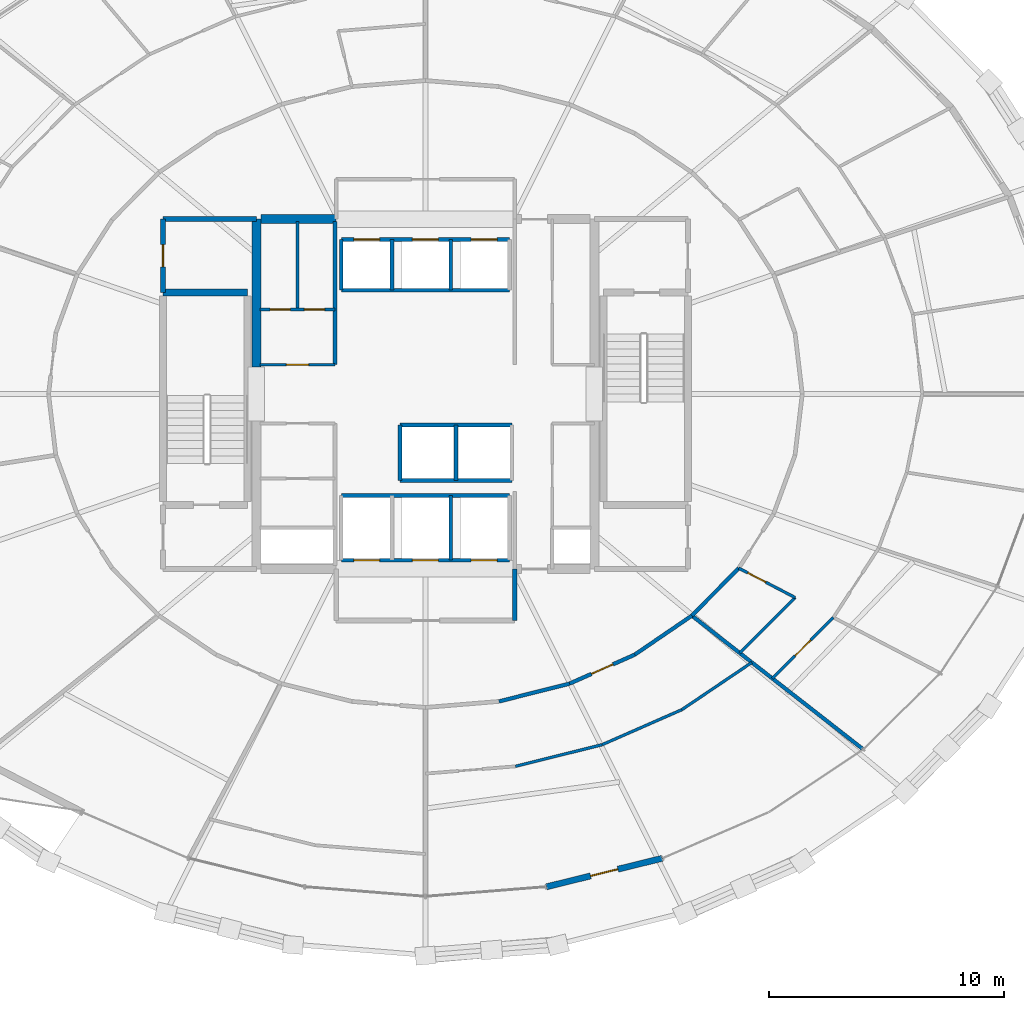
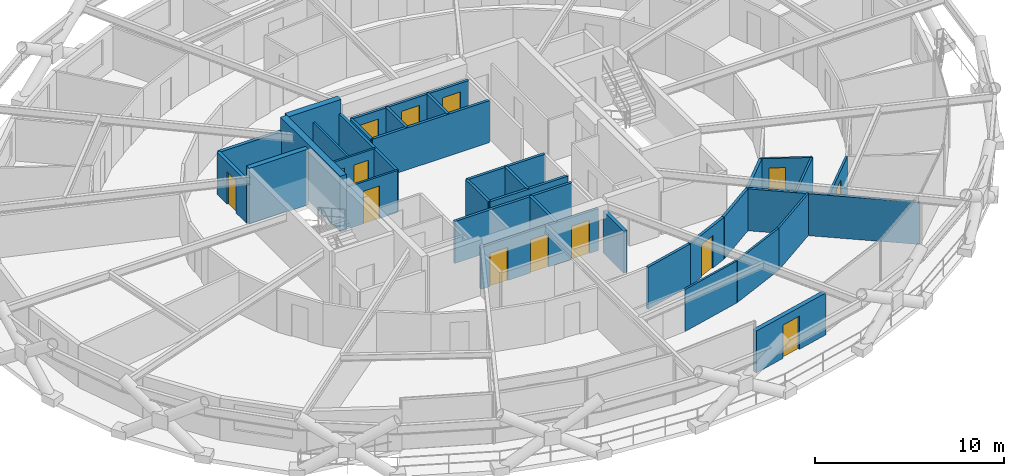
# One storey, part 16 of 23: 34 walls, 14 doors, 14 openings.
"""IFC4 building model written with IfcOpenShell, lengths in metres."""

from ifc_helpers import new_model, si_unit, direction, frame, frame_2d, origin, place, context, subcontext, project, spatial, rectangle, extrude, material, layer, layer_set, type_object, element, fill, save


model = new_model("IFC4")

# Units and contexts
model_context = context("Model", 3, precision=1e-05, world=origin(), true_north=direction((0.0, 1.0)))
body_context = subcontext(model_context, "Body", "Model", "MODEL_VIEW")
ifc_project = project(units=[si_unit("LENGTHUNIT", "METRE"), si_unit("AREAUNIT", "SQUARE_METRE"), si_unit("VOLUMEUNIT", "CUBIC_METRE"), si_unit("PLANEANGLEUNIT", "RADIAN"), si_unit("MASSUNIT", "GRAM", prefix="KILO")], contexts=[model_context])

# Site, building, storey
site_placement = place(None, origin())
site = spatial("IfcSite", under=ifc_project, at=site_placement, CompositionType="ELEMENT")
building_placement = place(site_placement, origin())
building = spatial("IfcBuilding", under=site, at=building_placement, Name="Veldorina Hangang Commons", CompositionType="ELEMENT")
storey_placement = place(building_placement, frame((0.0, 0.0, 95.199951171875)))
storey = spatial("IfcBuildingStorey", under=building, at=storey_placement, Name="L24", CompositionType="ELEMENT", Elevation=95.199951171875)

# Walls
ifc_material_1 = material(Name="Concrete C70/85", Category="concrete")
ifc_layer_1 = layer(ifc_material_1, 0.3798828125)
ifc_layer_set_1 = layer_set([ifc_layer_1], Name="Concrete C70/85")
wall_type_1 = type_object("IfcWallType", Name="CW-RC380-C70", PredefinedType="SHEAR", material=ifc_layer_set_1)
wall_1_placement = place(storey_placement, frame((24.800048828125, 25.14990234375, 0.0), z_axis=(0.0, 0.0, 1.0), x_axis=(0.0, 1.0, 0.0)))
element("IfcWall", 1, at=wall_1_placement, inside=storey, type_object=wall_type_1, Name="L24 W north core shear wall", PredefinedType="SHEAR", context=body_context, shape_type="SweptSolid", body=[
    extrude(rectangle(XDim=6.300048828125, YDim=0.3798828125, at=frame_2d((3.14990234375, 0.0))), origin(), (0.0, 0.0, 1.0), 3.60009765625),
])
wall_2_placement = place(storey_placement, frame((24.989990234375, 31.449951171875, 0.0), z_axis=(0.0, 0.0, 1.0), x_axis=(1.0, 0.0, 0.0)))
element("IfcWall", 2, at=wall_2_placement, inside=storey, type_object=wall_type_1, Name="L24 north-west core shear wall", PredefinedType="SHEAR", context=body_context, shape_type="SweptSolid", body=[
    extrude(rectangle(XDim=3.2099609375, YDim=0.3798828125, at=frame_2d((1.60498046875, 0.0))), origin(), (0.0, 0.0, 1.0), 3.60009765625),
])

# Wall, opening, door
ifc_material_2 = material(Name="Stone Roman Travertine", Category="masonry")
ifc_layer_2 = layer(ifc_material_2, 0.260009765625)
ifc_layer_set_2 = layer_set([ifc_layer_2], Name="Stone Roman Travertine")
wall_type_2 = type_object("IfcWallType", Name="EW-LOGGIA-260", PredefinedType="STANDARD", material=ifc_layer_set_2)
wall_3_placement = place(storey_placement, frame((37.144287109375, 3.0087890625, 0.0), z_axis=(0.0, 0.0, 1.0), x_axis=(0.970998963329, 0.239083694998, 0.0)))
wall_3 = element("IfcWall", 3, at=wall_3_placement, inside=storey, type_object=wall_type_2, Name="L24 sky-garden loggia portal wall 25", PredefinedType="STANDARD", context=body_context, shape_type="SweptSolid", body=[
    extrude(rectangle(XDim=5.094482421875, YDim=0.260009765625, at=frame_2d((2.54736328125, 0.0))), origin(), (0.0, 0.0, 1.0), 2.7099609375),
])
opening_1_placement = place(wall_3_placement, frame((1.947265625, 0.0, 0.0)))
opening_1 = element("IfcOpeningElement", 4, at=opening_1_placement, cuts=wall_3, Name="Opening BD-1200", PredefinedType="OPENING", context=body_context, shape_type="SweptSolid", body=[
    extrude(rectangle(XDim=1.199951171875, YDim=2.14990234375, at=frame_2d((0.60009765625, 1.074951171875))), frame((0.0, 0.14013671875, 0.0), z_axis=(0.0, -1.0, 0.0), x_axis=(1.0, 0.0, 0.0)), (0.0, 0.0, 1.0), 0.280029296875),
])
ifc_material_3 = material(Name="Glass Thermal Aluminium Frame", Category="aluminium")
door_type_1 = type_object("IfcDoorType", Name="DR-EXT-LOG1200", OperationType="SINGLE_SWING_LEFT", PredefinedType="DOOR", material=ifc_material_3)
door_1_placement = place(opening_1_placement, origin())
door_1 = element("IfcDoor", 5, at=door_1_placement, inside=storey, type_object=door_type_1, Name="L24 loggia glazed exterior door 25", OperationType="SINGLE_SWING_RIGHT", OverallHeight=2.14990234375, OverallWidth=1.199951171875, PredefinedType="DOOR", context=body_context, shape_type="SweptSolid", body=[
    extrude(rectangle(XDim=1.199951171875, YDim=2.14990234375, at=frame_2d((0.60009765625, 1.074951171875))), frame((0.0, 0.02490234375, 0.0), z_axis=(0.0, -1.0, 0.0), x_axis=(1.0, 0.0, 0.0)), (0.0, 0.0, 1.0), 0.050048828125),
])
fill(opening_1, door_1)

# Wall
ifc_material_4 = material(Name="Concrete C50/60", Category="concrete")
ifc_layer_3 = layer(ifc_material_4, 0.300048828125)
ifc_layer_set_3 = layer_set([ifc_layer_3], Name="Concrete C50/60")
wall_type_3 = type_object("IfcWallType", Name="SW-STAIR-300", PredefinedType="SHEAR", material=ifc_layer_set_3)
wall_4_placement = place(storey_placement, frame((20.820068359375, 28.320068359375, 0.0), z_axis=(0.0, 0.0, 1.0), x_axis=(1.0, 0.0, 0.0)))
element("IfcWall", 6, at=wall_4_placement, inside=storey, type_object=wall_type_3, Name="L24 ST1 north stair shear wall", PredefinedType="SHEAR", context=body_context, shape_type="SweptSolid", body=[
    extrude(rectangle(XDim=3.599853515625, YDim=0.300048828125, at=frame_2d((1.7998046875, 0.0))), origin(), (0.0, 0.0, 1.0), 3.60009765625),
])

# Wall, openings, doors
ifc_material_5 = material(Name="Gypsum Fire-Rated Twin Stud Wall", Category="gypsum")
ifc_layer_4 = layer(ifc_material_5, 0.159912109375)
ifc_layer_set_4 = layer_set([ifc_layer_4], Name="Gypsum Fire-Rated Twin Stud Wall")
wall_type_4 = type_object("IfcWallType", Name="WL-FIRE-160", PredefinedType="SOLIDWALL", material=ifc_layer_set_4)
wall_5_placement = place(storey_placement, frame((28.419921875, 30.580078125, 0.0), z_axis=(0.0, 0.0, 1.0), x_axis=(1.0, 0.0, 0.0)))
wall_5 = element("IfcWall", 7, at=wall_5_placement, inside=storey, type_object=wall_type_4, Name="L24 Low-bank front shaft wall 015", PredefinedType="SOLIDWALL", context=body_context, shape_type="SweptSolid", body=[
    extrude(rectangle(XDim=7.16015625, YDim=0.159912109375, at=frame_2d((3.580078125, 0.0))), origin(), (0.0, 0.0, 1.0), 2.7099609375),
])
opening_2_placement = place(wall_5_placement, frame((0.530029296875, 0.0, 0.0)))
opening_2 = element("IfcOpeningElement", 8, at=opening_2_placement, cuts=wall_5, Name="Opening LD-01", PredefinedType="OPENING", context=body_context, shape_type="SweptSolid", body=[
    extrude(rectangle(XDim=1.10009765625, YDim=2.14990234375, at=frame_2d((0.550048828125, 1.074951171875))), frame((0.0, 0.08984375, 0.0), z_axis=(0.0, -1.0, 0.0), x_axis=(1.0, 0.0, 0.0)), (0.0, 0.0, 1.0), 0.179931640625),
])
opening_3_placement = place(wall_5_placement, frame((3.030029296875, 0.0, 0.0)))
opening_3 = element("IfcOpeningElement", 9, at=opening_3_placement, cuts=wall_5, Name="Opening LD-01", PredefinedType="OPENING", context=body_context, shape_type="SweptSolid", body=[
    extrude(rectangle(XDim=1.10009765625, YDim=2.14990234375, at=frame_2d((0.550048828125, 1.074951171875))), frame((0.0, 0.08984375, 0.0), z_axis=(0.0, -1.0, 0.0), x_axis=(1.0, 0.0, 0.0)), (0.0, 0.0, 1.0), 0.179931640625),
])
opening_4_placement = place(wall_5_placement, frame((5.530029296875, 0.0, 0.0)))
opening_4 = element("IfcOpeningElement", 10, at=opening_4_placement, cuts=wall_5, Name="Opening LD-01", PredefinedType="OPENING", context=body_context, shape_type="SweptSolid", body=[
    extrude(rectangle(XDim=1.10009765625, YDim=2.14990234375, at=frame_2d((0.550048828125, 1.074951171875))), frame((0.0, 0.08984375, 0.0), z_axis=(0.0, -1.0, 0.0), x_axis=(1.0, 0.0, 0.0)), (0.0, 0.0, 1.0), 0.179931640625),
])
ifc_material_6 = material(Name="Stainless Steel Brushed Lift Door", Category="steel")
door_type_2 = type_object("IfcDoorType", Name="DR-LIFT-1100", OperationType="SLIDING_TO_LEFT", PredefinedType="DOOR", material=ifc_material_6)
door_2_placement = place(opening_2_placement, origin())
door_2 = element("IfcDoor", 11, at=door_2_placement, inside=storey, type_object=door_type_2, Name="L24 Lift PL-L1 landing door 006", OperationType="SLIDING_TO_LEFT", OverallHeight=2.14990234375, OverallWidth=1.10009765625, PredefinedType="DOOR", context=body_context, shape_type="SweptSolid", body=[
    extrude(rectangle(XDim=1.10009765625, YDim=2.14990234375, at=frame_2d((0.550048828125, 1.074951171875))), frame((0.0, 0.02490234375, 0.0), z_axis=(0.0, -1.0, 0.0), x_axis=(1.0, 0.0, 0.0)), (0.0, 0.0, 1.0), 0.050048828125),
])
fill(opening_2, door_2)
door_3_placement = place(opening_3_placement, origin())
door_3 = element("IfcDoor", 12, at=door_3_placement, inside=storey, type_object=door_type_2, Name="L24 Lift PL-L2 landing door 007", OperationType="SLIDING_TO_LEFT", OverallHeight=2.14990234375, OverallWidth=1.10009765625, PredefinedType="DOOR", context=body_context, shape_type="SweptSolid", body=[
    extrude(rectangle(XDim=1.10009765625, YDim=2.14990234375, at=frame_2d((0.550048828125, 1.074951171875))), frame((0.0, 0.02490234375, 0.0), z_axis=(0.0, -1.0, 0.0), x_axis=(1.0, 0.0, 0.0)), (0.0, 0.0, 1.0), 0.050048828125),
])
fill(opening_3, door_3)
door_4_placement = place(opening_4_placement, origin())
door_4 = element("IfcDoor", 13, at=door_4_placement, inside=storey, type_object=door_type_2, Name="L24 Lift PL-L3 landing door 008", OperationType="SLIDING_TO_LEFT", OverallHeight=2.14990234375, OverallWidth=1.10009765625, PredefinedType="DOOR", context=body_context, shape_type="SweptSolid", body=[
    extrude(rectangle(XDim=1.10009765625, YDim=2.14990234375, at=frame_2d((0.550048828125, 1.074951171875))), frame((0.0, 0.02490234375, 0.0), z_axis=(0.0, -1.0, 0.0), x_axis=(1.0, 0.0, 0.0)), (0.0, 0.0, 1.0), 0.050048828125),
])
fill(opening_4, door_4)

# Walls
wall_6_placement = place(storey_placement, frame((28.419921875, 28.419921875, 0.0), z_axis=(0.0, 0.0, 1.0), x_axis=(1.0, 0.0, 0.0)))
element("IfcWall", 14, at=wall_6_placement, inside=storey, type_object=wall_type_4, Name="L24 Low-bank rear shaft wall 016", PredefinedType="SOLIDWALL", context=body_context, shape_type="SweptSolid", body=[
    extrude(rectangle(XDim=7.16015625, YDim=0.159912109375, at=frame_2d((3.580078125, 0.0))), origin(), (0.0, 0.0, 1.0), 2.7099609375),
])
for number, where, z_axis, x_axis, name in (
    (15, (28.419921875, 28.419921875, 0.0), (0.0, 0.0, 1.0), (0.0, 1.0, 0.0), "L24 PL-L1 west shaft wall 017"),
    (16, (30.580078125, 28.419921875, 0.0), (0.0, 0.0, 1.0), (0.0, 1.0, 0.0), "L24 PL-L1 east shaft wall 018"),
    (17, (33.080078125, 28.419921875, 0.0), (0.0, 0.0, 1.0), (0.0, 1.0, 0.0), "L24 PL-L2 east shaft wall 019"),
):
    element("IfcWall", number, at=place(storey_placement, frame(where, z_axis=z_axis, x_axis=x_axis)), inside=storey, type_object=wall_type_4, Name=name, PredefinedType="SOLIDWALL", context=body_context, shape_type="SweptSolid", body=[
        extrude(rectangle(XDim=2.16015625, YDim=0.159912109375, at=frame_2d((1.080078125, 0.0))), origin(), (0.0, 0.0, 1.0), 2.7099609375),
    ])
for number, where, z_axis, x_axis, name in (
    (18, (30.919921875, 22.679931640625, 0.0), (0.0, 0.0, 1.0), (1.0, 0.0, 0.0), "L24 Shuttle-high front shaft wall 021"),
    (19, (30.919921875, 20.320068359375, 0.0), (0.0, 0.0, 1.0), (1.0, 0.0, 0.0), "L24 Shuttle-high rear shaft wall 022"),
):
    element("IfcWall", number, at=place(storey_placement, frame(where, z_axis=z_axis, x_axis=x_axis)), inside=storey, type_object=wall_type_4, Name=name, PredefinedType="SOLIDWALL", context=body_context, shape_type="SweptSolid", body=[
        extrude(rectangle(XDim=4.760009765625, YDim=0.159912109375, at=frame_2d((2.3798828125, 0.0))), origin(), (0.0, 0.0, 1.0), 2.7099609375),
    ])
for number, where, z_axis, x_axis, name in (
    (20, (30.919921875, 20.320068359375, 0.0), (0.0, 0.0, 1.0), (0.0, 1.0, 0.0), "L24 SL-1 west shaft wall 023"),
    (21, (33.300048828125, 20.320068359375, 0.0), (0.0, 0.0, 1.0), (0.0, 1.0, 0.0), "L24 SL-1 east shaft wall 024"),
):
    element("IfcWall", number, at=place(storey_placement, frame(where, z_axis=z_axis, x_axis=x_axis)), inside=storey, type_object=wall_type_4, Name=name, PredefinedType="SOLIDWALL", context=body_context, shape_type="SweptSolid", body=[
        extrude(rectangle(XDim=2.35986328125, YDim=0.159912109375, at=frame_2d((1.179931640625, 0.0))), origin(), (0.0, 0.0, 1.0), 2.7099609375),
    ])

# Wall, openings, doors
wall_7_placement = place(storey_placement, frame((28.419921875, 16.919921875, 0.0), z_axis=(0.0, 0.0, 1.0), x_axis=(1.0, 0.0, 0.0)))
wall_7 = element("IfcWall", 22, at=wall_7_placement, inside=storey, type_object=wall_type_4, Name="L24 Emergency front shaft wall 026", PredefinedType="SOLIDWALL", context=body_context, shape_type="SweptSolid", body=[
    extrude(rectangle(XDim=7.16015625, YDim=0.159912109375, at=frame_2d((3.580078125, 0.0))), origin(), (0.0, 0.0, 1.0), 2.7099609375),
])
opening_5_placement = place(wall_7_placement, frame((0.530029296875, 0.0, 0.0)))
opening_5 = element("IfcOpeningElement", 23, at=opening_5_placement, cuts=wall_7, Name="Opening LD-03", PredefinedType="OPENING", context=body_context, shape_type="SweptSolid", body=[
    extrude(rectangle(XDim=1.10009765625, YDim=2.14990234375, at=frame_2d((0.550048828125, 1.074951171875))), frame((0.0, 0.08984375, 0.0), z_axis=(0.0, -1.0, 0.0), x_axis=(1.0, 0.0, 0.0)), (0.0, 0.0, 1.0), 0.179931640625),
])
opening_6_placement = place(wall_7_placement, frame((3.030029296875, 0.0, 0.0)))
opening_6 = element("IfcOpeningElement", 24, at=opening_6_placement, cuts=wall_7, Name="Opening LD-03", PredefinedType="OPENING", context=body_context, shape_type="SweptSolid", body=[
    extrude(rectangle(XDim=1.10009765625, YDim=2.14990234375, at=frame_2d((0.550048828125, 1.074951171875))), frame((0.0, 0.08984375, 0.0), z_axis=(0.0, -1.0, 0.0), x_axis=(1.0, 0.0, 0.0)), (0.0, 0.0, 1.0), 0.179931640625),
])
opening_7_placement = place(wall_7_placement, frame((5.530029296875, 0.0, 0.0)))
opening_7 = element("IfcOpeningElement", 25, at=opening_7_placement, cuts=wall_7, Name="Opening LD-03", PredefinedType="OPENING", context=body_context, shape_type="SweptSolid", body=[
    extrude(rectangle(XDim=1.10009765625, YDim=2.14990234375, at=frame_2d((0.550048828125, 1.074951171875))), frame((0.0, 0.08984375, 0.0), z_axis=(0.0, -1.0, 0.0), x_axis=(1.0, 0.0, 0.0)), (0.0, 0.0, 1.0), 0.179931640625),
])
ifc_material_7 = material(Name="Stainless Steel Firefighting Lift Door", Category="steel")
door_type_3 = type_object("IfcDoorType", Name="DR-LIFT-FF1100", OperationType="SLIDING_TO_RIGHT", PredefinedType="DOOR", material=ifc_material_7)
door_5_placement = place(opening_5_placement, origin())
door_5 = element("IfcDoor", 26, at=door_5_placement, inside=storey, type_object=door_type_3, Name="L24 Emergency lift FFL-1 landing door 009", OperationType="SLIDING_TO_RIGHT", OverallHeight=2.14990234375, OverallWidth=1.10009765625, PredefinedType="DOOR", context=body_context, shape_type="SweptSolid", body=[
    extrude(rectangle(XDim=1.10009765625, YDim=2.14990234375, at=frame_2d((0.550048828125, 1.074951171875))), frame((0.0, 0.02490234375, 0.0), z_axis=(0.0, -1.0, 0.0), x_axis=(1.0, 0.0, 0.0)), (0.0, 0.0, 1.0), 0.050048828125),
])
fill(opening_5, door_5)
door_6_placement = place(opening_6_placement, origin())
door_6 = element("IfcDoor", 27, at=door_6_placement, inside=storey, type_object=door_type_3, Name="L24 Emergency lift FFL-2 landing door 010", OperationType="SLIDING_TO_RIGHT", OverallHeight=2.14990234375, OverallWidth=1.10009765625, PredefinedType="DOOR", context=body_context, shape_type="SweptSolid", body=[
    extrude(rectangle(XDim=1.10009765625, YDim=2.14990234375, at=frame_2d((0.550048828125, 1.074951171875))), frame((0.0, 0.02490234375, 0.0), z_axis=(0.0, -1.0, 0.0), x_axis=(1.0, 0.0, 0.0)), (0.0, 0.0, 1.0), 0.050048828125),
])
fill(opening_6, door_6)
door_7_placement = place(opening_7_placement, origin())
door_7 = element("IfcDoor", 28, at=door_7_placement, inside=storey, type_object=door_type_3, Name="L24 Emergency lift EVL-1 landing door 011", OperationType="SLIDING_TO_RIGHT", OverallHeight=2.14990234375, OverallWidth=1.10009765625, PredefinedType="DOOR", context=body_context, shape_type="SweptSolid", body=[
    extrude(rectangle(XDim=1.10009765625, YDim=2.14990234375, at=frame_2d((0.550048828125, 1.074951171875))), frame((0.0, 0.02490234375, 0.0), z_axis=(0.0, -1.0, 0.0), x_axis=(1.0, 0.0, 0.0)), (0.0, 0.0, 1.0), 0.050048828125),
])
fill(opening_7, door_7)

# Walls
wall_8_placement = place(storey_placement, frame((28.419921875, 19.679931640625, 0.0), z_axis=(0.0, 0.0, 1.0), x_axis=(1.0, 0.0, 0.0)))
element("IfcWall", 29, at=wall_8_placement, inside=storey, type_object=wall_type_4, Name="L24 Emergency rear shaft wall 027", PredefinedType="SOLIDWALL", context=body_context, shape_type="SweptSolid", body=[
    extrude(rectangle(XDim=7.16015625, YDim=0.159912109375, at=frame_2d((3.580078125, 0.0))), origin(), (0.0, 0.0, 1.0), 2.7099609375),
])
wall_9_placement = place(storey_placement, frame((33.080078125, 16.919921875, 0.0), z_axis=(0.0, 0.0, 1.0), x_axis=(0.0, 1.0, 0.0)))
element("IfcWall", 30, at=wall_9_placement, inside=storey, type_object=wall_type_4, Name="L24 FFL-2 east shaft wall 030", PredefinedType="SOLIDWALL", context=body_context, shape_type="SweptSolid", body=[
    extrude(rectangle(XDim=2.760009765625, YDim=0.159912109375, at=frame_2d((1.3798828125, 0.0))), origin(), (0.0, 0.0, 1.0), 2.7099609375),
])
wall_10_placement = place(storey_placement, frame((28.14990234375, 25.25, 0.0), z_axis=(0.0, 0.0, 1.0), x_axis=(0.0, 1.0, 0.0)))
element("IfcWall", 31, at=wall_10_placement, inside=storey, type_object=wall_type_4, Name="L24 NW core inner wall 038", PredefinedType="SOLIDWALL", context=body_context, shape_type="SweptSolid", body=[
    extrude(rectangle(XDim=6.10009765625, YDim=0.159912109375, at=frame_2d((3.050048828125, 0.0))), origin(), (0.0, 0.0, 1.0), 2.7099609375),
])
wall_11_placement = place(storey_placement, frame((35.131103515625, 10.906494140625, 0.0), z_axis=(0.0, 0.0, 1.0), x_axis=(0.969608333194, 0.244662380029, 0.0)))
element("IfcWall", 32, at=wall_11_placement, inside=storey, type_object=wall_type_4, Name="L24 Corridor outer wall 25 073", PredefinedType="SOLIDWALL", context=body_context, shape_type="SweptSolid", body=[
    extrude(rectangle(XDim=3.10546875, YDim=0.159912109375, at=frame_2d((1.552734375, 0.0))), origin(), (0.0, 0.0, 1.0), 2.7099609375),
])

# Wall, opening, door
wall_12_placement = place(storey_placement, frame((38.14208984375, 11.666259765625, 0.0), z_axis=(0.0, 0.0, 1.0), x_axis=(0.913768445178, 0.406235434936, 0.0)))
wall_12 = element("IfcWall", 33, at=wall_12_placement, inside=storey, type_object=wall_type_4, Name="L24 Corridor outer wall 26 074", PredefinedType="SOLIDWALL", context=body_context, shape_type="SweptSolid", body=[
    extrude(rectangle(XDim=3.036865234375, YDim=0.159912109375, at=frame_2d((1.5185546875, 0.0))), origin(), (0.0, 0.0, 1.0), 2.7099609375),
])
opening_8_placement = place(wall_12_placement, frame((1.018310546875, 0.0, 0.0)))
opening_8 = element("IfcOpeningElement", 34, at=opening_8_placement, cuts=wall_12, Name="Opening D-05", PredefinedType="OPENING", context=body_context, shape_type="SweptSolid", body=[
    extrude(rectangle(XDim=1.0, YDim=2.10009765625, at=frame_2d((0.5, 1.050048828125))), frame((0.0, 0.08984375, 0.0), z_axis=(0.0, -1.0, 0.0), x_axis=(1.0, 0.0, 0.0)), (0.0, 0.0, 1.0), 0.179931640625),
])
ifc_material_8 = material(Name="Timber Solid Core Acoustic", Category="wood")
door_type_4 = type_object("IfcDoorType", Name="DR-INT-1000", OperationType="SINGLE_SWING_RIGHT", PredefinedType="DOOR", material=ifc_material_8)
door_8_placement = place(opening_8_placement, origin())
door_8 = element("IfcDoor", 35, at=door_8_placement, inside=storey, type_object=door_type_4, Name="L24 Commons alcove door 020", OperationType="SINGLE_SWING_RIGHT", OverallHeight=2.10009765625, OverallWidth=1.0, PredefinedType="DOOR", context=body_context, shape_type="SweptSolid", body=[
    extrude(rectangle(XDim=1.0, YDim=2.10009765625, at=frame_2d((0.5, 1.050048828125))), frame((0.0, 0.02490234375, 0.0), z_axis=(0.0, -1.0, 0.0), x_axis=(1.0, 0.0, 0.0)), (0.0, 0.0, 1.0), 0.050048828125),
])
fill(opening_8, door_8)

# Walls
wall_13_placement = place(storey_placement, frame((40.9169921875, 12.89990234375, 0.0), z_axis=(0.0, 0.0, 1.0), x_axis=(0.825929039072, 0.563774088104, 0.0)))
element("IfcWall", 36, at=wall_13_placement, inside=storey, type_object=wall_type_4, Name="L24 Corridor outer wall 27 075", PredefinedType="SOLIDWALL", context=body_context, shape_type="SweptSolid", body=[
    extrude(rectangle(XDim=2.94482421875, YDim=0.159912109375, at=frame_2d((1.472412109375, 0.0))), origin(), (0.0, 0.0, 1.0), 2.7099609375),
])
wall_14_placement = place(storey_placement, frame((43.34912109375, 14.56005859375, 0.0), z_axis=(0.0, 0.0, 1.0), x_axis=(0.702366174226, 0.711815816981, 0.0)))
element("IfcWall", 37, at=wall_14_placement, inside=storey, type_object=wall_type_4, Name="L24 Corridor outer wall 28 076", PredefinedType="SOLIDWALL", context=body_context, shape_type="SweptSolid", body=[
    extrude(rectangle(XDim=2.842041015625, YDim=0.159912109375, at=frame_2d((1.4208984375, 0.0))), origin(), (0.0, 0.0, 1.0), 2.7099609375),
])
wall_15_placement = place(storey_placement, frame((43.34912109375, 14.56005859375, 0.0), z_axis=(0.0, 0.0, 1.0), x_axis=(0.788377274066, -0.615192062478, 0.0)))
element("IfcWall", 38, at=wall_15_placement, inside=storey, type_object=wall_type_4, Name="L24 Unit party wall 28 085", PredefinedType="SOLIDWALL", context=body_context, shape_type="SweptSolid", body=[
    extrude(rectangle(XDim=9.205322265625, YDim=0.159912109375, at=frame_2d((4.6025390625, 0.0))), origin(), (0.0, 0.0, 1.0), 2.7099609375),
])

# Wall, opening, door
ifc_material_9 = material(Name="Concrete Blockwork Fire Wall C30/37", Category="masonry")
ifc_layer_5 = layer(ifc_material_9, 0.199951171875)
ifc_layer_set_5 = layer_set([ifc_layer_5], Name="Concrete Blockwork Fire Wall C30/37")
wall_type_5 = type_object("IfcWallType", Name="WL-FIRE-200", PredefinedType="SOLIDWALL", material=ifc_layer_set_5)
wall_16_placement = place(storey_placement, frame((20.820068359375, 28.320068359375, 0.0), z_axis=(0.0, 0.0, 1.0), x_axis=(0.0, 1.0, 0.0)))
wall_16 = element("IfcWall", 39, at=wall_16_placement, inside=storey, type_object=wall_type_5, Name="L24 NW core room outer wall 005", PredefinedType="SOLIDWALL", context=body_context, shape_type="SweptSolid", body=[
    extrude(rectangle(XDim=3.1298828125, YDim=0.199951171875, at=frame_2d((1.56494140625, 0.0))), origin(), (0.0, 0.0, 1.0), 2.7099609375),
])
opening_9_placement = place(wall_16_placement, frame((1.090087890625, 0.0, 0.0)))
opening_9 = element("IfcOpeningElement", 40, at=opening_9_placement, cuts=wall_16, Name="Opening D-04", PredefinedType="OPENING", context=body_context, shape_type="SweptSolid", body=[
    extrude(rectangle(XDim=0.949951171875, YDim=2.10009765625, at=frame_2d((0.47509765625, 1.050048828125))), frame((0.0, 0.10986328125, 0.0), z_axis=(0.0, -1.0, 0.0), x_axis=(1.0, 0.0, 0.0)), (0.0, 0.0, 1.0), 0.219970703125),
])
ifc_material_10 = material(Name="Timber Accessible Flush Leaf", Category="wood")
door_type_5 = type_object("IfcDoorType", Name="DR-ACC-950", OperationType="SINGLE_SWING_LEFT", PredefinedType="DOOR", material=ifc_material_10)
door_9_placement = place(opening_9_placement, origin())
door_9 = element("IfcDoor", 41, at=door_9_placement, inside=storey, type_object=door_type_5, Name="L24 NW core WC door 003", OperationType="SINGLE_SWING_LEFT", OverallHeight=2.10009765625, OverallWidth=0.949951171875, PredefinedType="DOOR", context=body_context, shape_type="SweptSolid", body=[
    extrude(rectangle(XDim=0.949951171875, YDim=2.10009765625, at=frame_2d((0.47509765625, 1.050048828125))), frame((0.0, 0.02490234375, 0.0), z_axis=(0.0, -1.0, 0.0), x_axis=(1.0, 0.0, 0.0)), (0.0, 0.0, 1.0), 0.050048828125),
])
fill(opening_9, door_9)

# Walls
wall_17_placement = place(storey_placement, frame((20.820068359375, 31.449951171875, 0.0), z_axis=(0.0, 0.0, 1.0), x_axis=(1.0, 0.0, 0.0)))
element("IfcWall", 42, at=wall_17_placement, inside=storey, type_object=wall_type_5, Name="L24 NW core room north wall 006", PredefinedType="SOLIDWALL", context=body_context, shape_type="SweptSolid", body=[
    extrude(rectangle(XDim=3.97998046875, YDim=0.199951171875, at=frame_2d((1.989990234375, 0.0))), origin(), (0.0, 0.0, 1.0), 2.7099609375),
])
wall_18_placement = place(storey_placement, frame((35.800048828125, 14.35009765625, 0.0), z_axis=(0.0, 0.0, 1.0), x_axis=(0.0, 1.0, 0.0)))
element("IfcWall", 43, at=wall_18_placement, inside=storey, type_object=wall_type_5, Name="L24 FF lobby east wall 013", PredefinedType="SOLIDWALL", context=body_context, shape_type="SweptSolid", body=[
    extrude(rectangle(XDim=2.199951171875, YDim=0.199951171875, at=frame_2d((1.10009765625, 0.0))), origin(), (0.0, 0.0, 1.0), 2.7099609375),
])

# Wall, opening, door
ifc_material_11 = material(Name="Gypsum Acoustic Stud Partition", Category="gypsum")
ifc_layer_6 = layer(ifc_material_11, 0.1201171875)
ifc_layer_set_6 = layer_set([ifc_layer_6], Name="Gypsum Acoustic Stud Partition")
wall_type_6 = type_object("IfcWallType", Name="WL-PART-120", PredefinedType="PARTITIONING", material=ifc_layer_set_6)
wall_19_placement = place(storey_placement, frame((24.949951171875, 25.25, 0.0), z_axis=(0.0, 0.0, 1.0), x_axis=(1.0, 0.0, 0.0)))
wall_19 = element("IfcWall", 44, at=wall_19_placement, inside=storey, type_object=wall_type_6, Name="L24 NW service south wall 039", PredefinedType="PARTITIONING", context=body_context, shape_type="SweptSolid", body=[
    extrude(rectangle(XDim=3.199951171875, YDim=0.1201171875, at=frame_2d((1.60009765625, 0.0))), origin(), (0.0, 0.0, 1.0), 2.7099609375),
])
opening_10_placement = place(wall_19_placement, frame((1.125, 0.0, 0.0)))
opening_10 = element("IfcOpeningElement", 45, at=opening_10_placement, cuts=wall_19, Name="Opening D-02", PredefinedType="OPENING", context=body_context, shape_type="SweptSolid", body=[
    extrude(rectangle(XDim=0.949951171875, YDim=2.10009765625, at=frame_2d((0.47509765625, 1.050048828125))), frame((0.0, 0.070068359375, 0.0), z_axis=(0.0, -1.0, 0.0), x_axis=(1.0, 0.0, 0.0)), (0.0, 0.0, 1.0), 0.14013671875),
])
door_type_6 = type_object("IfcDoorType", Name="DR-INT-950", OperationType="SINGLE_SWING_LEFT", PredefinedType="DOOR", material=ifc_material_8)
door_10_placement = place(opening_10_placement, origin())
door_10 = element("IfcDoor", 46, at=door_10_placement, inside=storey, type_object=door_type_6, Name="L24 Utility vestibule door 013", OperationType="SINGLE_SWING_LEFT", OverallHeight=2.10009765625, OverallWidth=0.949951171875, PredefinedType="DOOR", context=body_context, shape_type="SweptSolid", body=[
    extrude(rectangle(XDim=0.949951171875, YDim=2.10009765625, at=frame_2d((0.47509765625, 1.050048828125))), frame((0.0, 0.02490234375, 0.0), z_axis=(0.0, -1.0, 0.0), x_axis=(1.0, 0.0, 0.0)), (0.0, 0.0, 1.0), 0.050048828125),
])
fill(opening_10, door_10)

# Wall, openings, doors
wall_20_placement = place(storey_placement, frame((24.949951171875, 27.60009765625, 0.0), z_axis=(0.0, 0.0, 1.0), x_axis=(1.0, 0.0, 0.0)))
wall_20 = element("IfcWall", 47, at=wall_20_placement, inside=storey, type_object=wall_type_6, Name="L24 NW lower split 045", PredefinedType="PARTITIONING", context=body_context, shape_type="SweptSolid", body=[
    extrude(rectangle(XDim=3.199951171875, YDim=0.1201171875, at=frame_2d((1.60009765625, 0.0))), origin(), (0.0, 0.0, 1.0), 2.7099609375),
])
opening_11_placement = place(wall_20_placement, frame((0.43994140625, 0.0, 0.0)))
opening_11 = element("IfcOpeningElement", 48, at=opening_11_placement, cuts=wall_20, Name="Opening D-01", PredefinedType="OPENING", context=body_context, shape_type="SweptSolid", body=[
    extrude(rectangle(XDim=0.860107421875, YDim=2.10009765625, at=frame_2d((0.43017578125, 1.050048828125))), frame((0.0, 0.070068359375, 0.0), z_axis=(0.0, -1.0, 0.0), x_axis=(1.0, 0.0, 0.0)), (0.0, 0.0, 1.0), 0.14013671875),
])
opening_12_placement = place(wall_20_placement, frame((1.89990234375, 0.0, 0.0)))
opening_12 = element("IfcOpeningElement", 49, at=opening_12_placement, cuts=wall_20, Name="Opening D-01", PredefinedType="OPENING", context=body_context, shape_type="SweptSolid", body=[
    extrude(rectangle(XDim=0.860107421875, YDim=2.10009765625, at=frame_2d((0.43017578125, 1.050048828125))), frame((0.0, 0.070068359375, 0.0), z_axis=(0.0, -1.0, 0.0), x_axis=(1.0, 0.0, 0.0)), (0.0, 0.0, 1.0), 0.14013671875),
])
ifc_material_12 = material(Name="Timber Moisture-Resistant Core", Category="wood")
door_type_7 = type_object("IfcDoorType", Name="DR-WET-860", OperationType="SINGLE_SWING_LEFT", PredefinedType="DOOR", material=ifc_material_12)
door_11_placement = place(opening_11_placement, origin())
door_11 = element("IfcDoor", 50, at=door_11_placement, inside=storey, type_object=door_type_7, Name="L24 Store A door 014", OperationType="SINGLE_SWING_RIGHT", OverallHeight=2.10009765625, OverallWidth=0.860107421875, PredefinedType="DOOR", context=body_context, shape_type="SweptSolid", body=[
    extrude(rectangle(XDim=0.860107421875, YDim=2.10009765625, at=frame_2d((0.43017578125, 1.050048828125))), frame((0.0, 0.02490234375, 0.0), z_axis=(0.0, -1.0, 0.0), x_axis=(1.0, 0.0, 0.0)), (0.0, 0.0, 1.0), 0.050048828125),
])
fill(opening_11, door_11)
door_12_placement = place(opening_12_placement, origin())
door_12 = element("IfcDoor", 51, at=door_12_placement, inside=storey, type_object=door_type_7, Name="L24 Store B door 015", OperationType="SINGLE_SWING_LEFT", OverallHeight=2.10009765625, OverallWidth=0.860107421875, PredefinedType="DOOR", context=body_context, shape_type="SweptSolid", body=[
    extrude(rectangle(XDim=0.860107421875, YDim=2.10009765625, at=frame_2d((0.43017578125, 1.050048828125))), frame((0.0, 0.02490234375, 0.0), z_axis=(0.0, -1.0, 0.0), x_axis=(1.0, 0.0, 0.0)), (0.0, 0.0, 1.0), 0.050048828125),
])
fill(opening_12, door_12)

# Walls
wall_21_placement = place(storey_placement, frame((26.550048828125, 27.60009765625, 0.0), z_axis=(0.0, 0.0, 1.0), x_axis=(0.0, 1.0, 0.0)))
element("IfcWall", 52, at=wall_21_placement, inside=storey, type_object=wall_type_6, Name="L24 NW upper vertical split 046", PredefinedType="PARTITIONING", context=body_context, shape_type="SweptSolid", body=[
    extrude(rectangle(XDim=3.75, YDim=0.1201171875, at=frame_2d((1.875, 0.0))), origin(), (0.0, 0.0, 1.0), 2.7099609375),
])
wall_22_placement = place(storey_placement, frame((35.835693359375, 8.142333984375, 0.0), z_axis=(0.0, 0.0, 1.0), x_axis=(0.970263267769, 0.242052042376, 0.0)))
element("IfcWall", 53, at=wall_22_placement, inside=storey, type_object=wall_type_6, Name="L24 Lounge alcove split 1 082", PredefinedType="PARTITIONING", context=body_context, shape_type="SweptSolid", body=[
    extrude(rectangle(XDim=3.801513671875, YDim=0.1201171875, at=frame_2d((1.90087890625, 0.0))), origin(), (0.0, 0.0, 1.0), 2.7099609375),
])
wall_23_placement = place(storey_placement, frame((39.524169921875, 9.0625, 0.0), z_axis=(0.0, 0.0, 1.0), x_axis=(0.915498172981, 0.402322128733, 0.0)))
element("IfcWall", 54, at=wall_23_placement, inside=storey, type_object=wall_type_6, Name="L24 Lounge alcove split 2 083", PredefinedType="PARTITIONING", context=body_context, shape_type="SweptSolid", body=[
    extrude(rectangle(XDim=3.713134765625, YDim=0.1201171875, at=frame_2d((1.8564453125, 0.0))), origin(), (0.0, 0.0, 1.0), 2.7099609375),
])
wall_24_placement = place(storey_placement, frame((42.923583984375, 10.556396484375, 0.0), z_axis=(0.0, 0.0, 1.0), x_axis=(0.828880957911, 0.559425024121, 0.0)))
element("IfcWall", 55, at=wall_24_placement, inside=storey, type_object=wall_type_6, Name="L24 Lounge alcove split 3 084", PredefinedType="PARTITIONING", context=body_context, shape_type="SweptSolid", body=[
    extrude(rectangle(XDim=3.59423828125, YDim=0.1201171875, at=frame_2d((1.797119140625, 0.0))), origin(), (0.0, 0.0, 1.0), 2.7099609375),
])
wall_25_placement = place(storey_placement, frame((45.39208984375, 12.9658203125, 0.0), z_axis=(0.0, 0.0, 1.0), x_axis=(0.705715635455, 0.708495195379, 0.0)))
element("IfcWall", 56, at=wall_25_placement, inside=storey, type_object=wall_type_6, Name="L24 Cluster 2 bath front wall 086", PredefinedType="PARTITIONING", context=body_context, shape_type="SweptSolid", body=[
    extrude(rectangle(XDim=3.337646484375, YDim=0.1201171875, at=frame_2d((1.6689453125, 0.0))), origin(), (0.0, 0.0, 1.0), 2.7099609375),
])

# Wall, opening, door
wall_26_placement = place(storey_placement, frame((45.34521484375, 16.5830078125, 0.0), z_axis=(0.0, 0.0, 1.0), x_axis=(0.886729414964, -0.46228881085, 0.0)))
wall_26 = element("IfcWall", 57, at=wall_26_placement, inside=storey, type_object=wall_type_6, Name="L24 Cluster 2 bath side wall 087", PredefinedType="PARTITIONING", context=body_context, shape_type="SweptSolid", body=[
    extrude(rectangle(XDim=2.709228515625, YDim=0.1201171875, at=frame_2d((1.3544921875, 0.0))), origin(), (0.0, 0.0, 1.0), 2.7099609375),
])
opening_13_placement = place(wall_26_placement, frame((0.43994140625, 0.0, 0.0)))
opening_13 = element("IfcOpeningElement", 58, at=opening_13_placement, cuts=wall_26, Name="Opening D-01", PredefinedType="OPENING", context=body_context, shape_type="SweptSolid", body=[
    extrude(rectangle(XDim=0.860107421875, YDim=2.10009765625, at=frame_2d((0.43017578125, 1.050048828125))), frame((0.0, 0.070068359375, 0.0), z_axis=(0.0, -1.0, 0.0), x_axis=(1.0, 0.0, 0.0)), (0.0, 0.0, 1.0), 0.14013671875),
])
door_13_placement = place(opening_13_placement, origin())
door_13 = element("IfcDoor", 59, at=door_13_placement, inside=storey, type_object=door_type_7, Name="L24 Cluster 2 shared bathroom door 022", OperationType="SINGLE_SWING_RIGHT", OverallHeight=2.10009765625, OverallWidth=0.860107421875, PredefinedType="DOOR", context=body_context, shape_type="SweptSolid", body=[
    extrude(rectangle(XDim=0.860107421875, YDim=2.10009765625, at=frame_2d((0.43017578125, 1.050048828125))), frame((0.0, 0.02490234375, 0.0), z_axis=(0.0, -1.0, 0.0), x_axis=(1.0, 0.0, 0.0)), (0.0, 0.0, 1.0), 0.050048828125),
])
fill(opening_13, door_13)

wall_27_placement = place(storey_placement, frame((46.778564453125, 11.884033203125, 0.0), z_axis=(0.0, 0.0, 1.0), x_axis=(0.707472185224, 0.706741188226, 0.0)))
wall_27 = element("IfcWall", 60, at=wall_27_placement, inside=storey, type_object=wall_type_6, Name="L24 Cluster 2 bed 1 front wall 088", PredefinedType="PARTITIONING", context=body_context, shape_type="SweptSolid", body=[
    extrude(rectangle(XDim=3.673828125, YDim=0.1201171875, at=frame_2d((1.8369140625, 0.0))), origin(), (0.0, 0.0, 1.0), 2.7099609375),
])
opening_14_placement = place(wall_27_placement, frame((1.362060546875, 0.0, 0.0)))
opening_14 = element("IfcOpeningElement", 61, at=opening_14_placement, cuts=wall_27, Name="Opening D-02", PredefinedType="OPENING", context=body_context, shape_type="SweptSolid", body=[
    extrude(rectangle(XDim=0.949951171875, YDim=2.10009765625, at=frame_2d((0.47509765625, 1.050048828125))), frame((0.0, 0.070068359375, 0.0), z_axis=(0.0, -1.0, 0.0), x_axis=(1.0, 0.0, 0.0)), (0.0, 0.0, 1.0), 0.14013671875),
])
door_14_placement = place(opening_14_placement, origin())
door_14 = element("IfcDoor", 62, at=door_14_placement, inside=storey, type_object=door_type_6, Name="L24 Cluster 2 bed 1 door 024", OperationType="SINGLE_SWING_RIGHT", OverallHeight=2.10009765625, OverallWidth=0.949951171875, PredefinedType="DOOR", context=body_context, shape_type="SweptSolid", body=[
    extrude(rectangle(XDim=0.949951171875, YDim=2.10009765625, at=frame_2d((0.47509765625, 1.050048828125))), frame((0.0, 0.02490234375, 0.0), z_axis=(0.0, -1.0, 0.0), x_axis=(1.0, 0.0, 0.0)), (0.0, 0.0, 1.0), 0.050048828125),
])
fill(opening_14, door_14)

save(model, "model.ifc")
